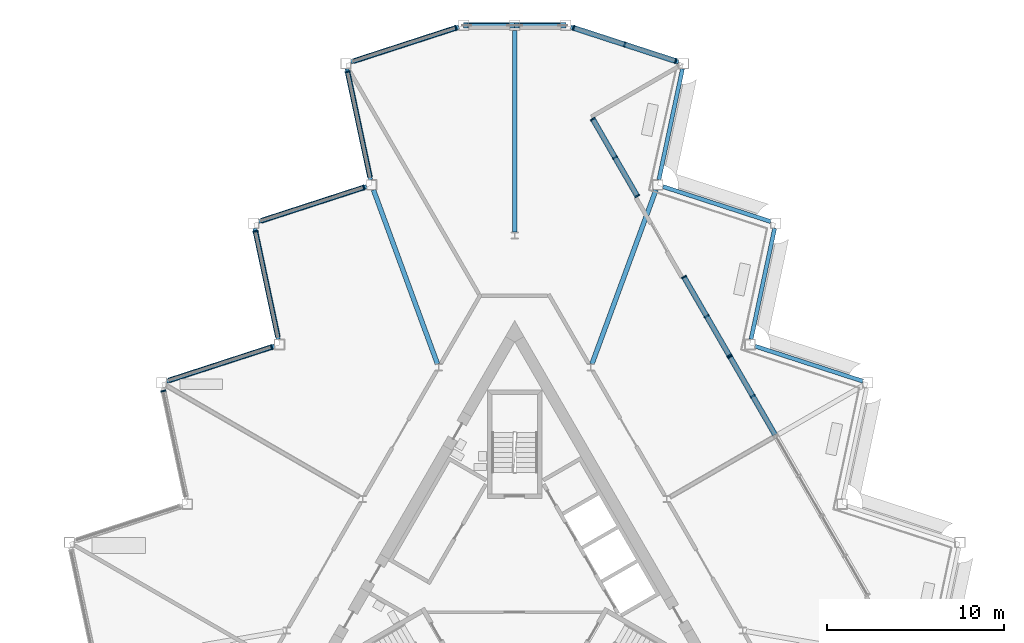
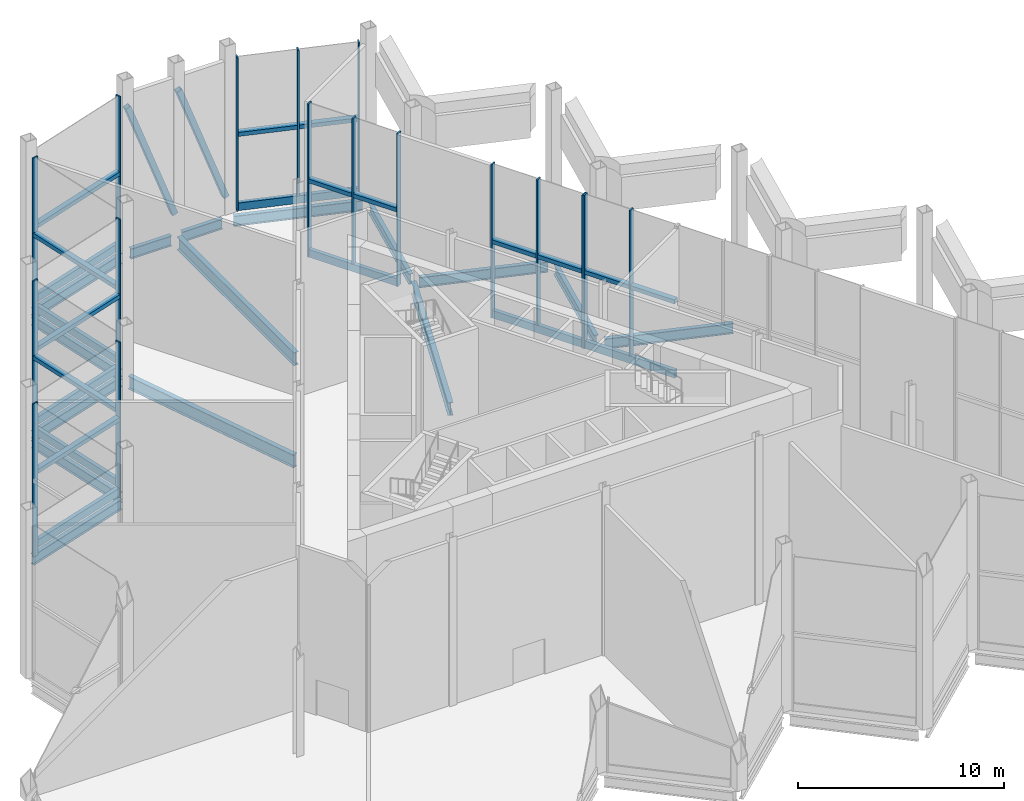
# One storey, part 6 of 18: 41 members, 15 beams, 5 elements without a shape of their own.
"""IFC4 building model written with IfcOpenShell, lengths in metres."""

from ifc_helpers import new_model, si_unit, direction, frame, origin, origin_2d, place, context, subcontext, project, spatial, rectangle, hollow_rectangle, i_section, extrude, material, layer, layer_set, material_profile, profile_set, type_object, element, aggregate, save


model = new_model("IFC4")

# Units and contexts
model_context = context("Model", 3, precision=1e-05, world=origin(), true_north=direction((0.0, 1.0)))
body_context = subcontext(model_context, "Body", "Model", "MODEL_VIEW")
ifc_project = project(units=[si_unit("LENGTHUNIT", "METRE"), si_unit("AREAUNIT", "SQUARE_METRE"), si_unit("VOLUMEUNIT", "CUBIC_METRE"), si_unit("PLANEANGLEUNIT", "RADIAN"), si_unit("MASSUNIT", "GRAM", prefix="KILO")], contexts=[model_context])

# Site, building, storey
site_placement = place(None, origin())
site = spatial("IfcSite", under=ifc_project, at=site_placement, CompositionType="ELEMENT")
building_placement = place(site_placement, origin())
building = spatial("IfcBuilding", under=site, at=building_placement, Name="Cormorant Prow Tower", CompositionType="ELEMENT")
storey_placement = place(building_placement, frame((0.0, 0.0, 346.0)))
storey = spatial("IfcBuildingStorey", under=building, at=storey_placement, Name="L78", CompositionType="ELEMENT", Elevation=346.0)

# Members
ifc_material_1 = material(Name="Structural steel ASTM A500 Gr C", Category="steel")
ifc_material_profile_1 = material_profile(ifc_material_1, hollow_rectangle(XDim=0.3046875, YDim=0.3046875, WallThickness=0.01171875, at=origin_2d()), Name="HSS12x12x1/2")
ifc_profile_set_1 = profile_set([ifc_material_profile_1], Name="Structural steel ASTM A500 Gr C")
member_type_1 = type_object("IfcMemberType", Name="Chamfer brace HSS12x12x1/2", PredefinedType="BRACE", material=ifc_profile_set_1)
for number, where, z_axis, x_axis, name in (
    (1, (2.755615234375, 31.676025390625, 0.924072265625), (-0.342295066455, 0.0, 0.939592511401), (0.0, -1.0, 0.0), "Chamfer brace BR3 at N00 L78"),
    (2, (-0.1181640625, 31.676025390625, 0.924072265625), (-0.342295066455, 0.0, 0.939592511401), (0.0, -1.0, 0.0), "Chamfer brace BR3 at N01 L78"),
):
    element("IfcMember", number, at=place(storey_placement, frame(where, z_axis=z_axis, x_axis=x_axis)), inside=storey, type_object=member_type_1, Name=name, PredefinedType="BRACE", context=body_context, shape_type="SweptSolid", body=[
        extrude(hollow_rectangle(XDim=0.3046875, YDim=0.3046875, WallThickness=0.01171875, at=origin_2d()), origin(), (0.0, 0.0, 1.0), 7.705078125),
    ])

# Beams
ifc_material_2 = material(Name="Structural steel ASTM A992 Gr 50", Category="steel")
ifc_material_profile_2 = material_profile(ifc_material_2, i_section(OverallWidth=0.267822265625, OverallDepth=0.77001953125, WebThickness=0.015625, FlangeThickness=0.025390625, at=origin_2d()), Name="W30x132")
ifc_profile_set_2 = profile_set([ifc_material_profile_2], Name="Structural steel ASTM A992 Gr 50")
beam_type_1 = type_object("IfcBeamType", Name="Radial floor beam W30x132", PredefinedType="BEAM", material=ifc_profile_set_2)
beam_1_placement = place(storey_placement, frame((0.0, 20.0087890625, -0.68505859375), z_axis=(0.0, 1.0, 0.0), x_axis=(-1.0, 0.0, 0.0)))
element("IfcBeam", 3, at=beam_1_placement, inside=storey, type_object=beam_type_1, Name="Radial floor beam FB3 1 L78", PredefinedType="BEAM", context=body_context, shape_type="SweptSolid", body=[
    extrude(i_section(OverallWidth=0.267822265625, OverallDepth=0.77001953125, WebThickness=0.015625, FlangeThickness=0.025390625, at=origin_2d()), origin(), (0.0, 0.0, 1.0), 11.3671875),
])
for number, where, z_axis, x_axis, name in (
    (4, (-4.357421875, 12.5673828125, -0.68505859375), (-0.345131226703, 0.938554439739, 0.0), (-0.938554439739, -0.345131226703, 0.0), "Radial floor beam FB3 2 L78"),
    (5, (4.357421875, 12.5673828125, -0.68505859375), (0.345131226703, 0.938554439739, 0.0), (-0.938554439739, 0.345131226703, 0.0), "Radial floor beam FB3 12 L78"),
):
    element("IfcBeam", number, at=place(storey_placement, frame(where, z_axis=z_axis, x_axis=x_axis)), inside=storey, type_object=beam_type_1, Name=name, PredefinedType="BEAM", context=body_context, shape_type="SweptSolid", body=[
        extrude(i_section(OverallWidth=0.267822265625, OverallDepth=0.77001953125, WebThickness=0.015625, FlangeThickness=0.025390625, at=origin_2d()), origin(), (0.0, 0.0, 1.0), 10.465087890625),
    ])

# Curtain wall, members
ifc_material_3 = material(Name="Aluminium 6063-T6", Category="aluminium")
ifc_layer = layer(ifc_material_3, 0.300048828125)
ifc_layer_set = layer_set([ifc_layer], Name="Aluminium 6063-T6")
curtain_wall_type = type_object("IfcCurtainWallType", Name="Sky lobby unitised curtain wall 300", PredefinedType="NOTDEFINED", material=ifc_layer_set)
curtain_wall_1_placement = place(storey_placement, origin())
curtain_wall_1 = element("IfcCurtainWall", 6, at=curtain_wall_1_placement, inside=storey, type_object=curtain_wall_type, Name="Sky lobby curtain wall ENE09", PredefinedType="NOTDEFINED")
ifc_material_4 = material(Name="Aluminium 6063-T6", Category="aluminium")
ifc_material_profile_3 = material_profile(ifc_material_4, rectangle(XDim=0.300048828125, YDim=0.239990234375, at=origin_2d()), Name="Sky lobby intermediate transom 300x240")
ifc_profile_set_3 = profile_set([ifc_material_profile_3], Name="Aluminium 6063-T6")
member_type_2 = type_object("IfcMemberType", Name="Sky lobby intermediate transom 300x240", PredefinedType="USERDEFINED", material=ifc_profile_set_3)
member_1_placement = place(storey_placement, frame((9.03857421875, 29.673095703125, 4.5439453125), z_axis=(-0.951060880833, 0.309003561387, 0.0), x_axis=(-0.309003561387, -0.951060880833, 0.0)))
member_1 = element("IfcMember", 7, at=member_1_placement, type_object=member_type_2, Name="Sky lobby intermediate transom ENE09", ObjectType="TRANSOM", PredefinedType="USERDEFINED", context=body_context, shape_type="SweptSolid", body=[
    extrude(rectangle(XDim=0.300048828125, YDim=0.239990234375, at=origin_2d()), origin(), (0.0, 0.0, 1.0), 2.94384765625),
])
member_2_placement = place(storey_placement, frame((6.16259765625, 30.607421875, 4.5439453125), z_axis=(-0.951044427718, 0.309054196713, 0.0), x_axis=(-0.309054196713, -0.951044427718, 0.0)))
member_2 = element("IfcMember", 8, at=member_2_placement, type_object=member_type_2, Name="Sky lobby intermediate transom ENE09", ObjectType="TRANSOM", PredefinedType="USERDEFINED", context=body_context, shape_type="SweptSolid", body=[
    extrude(rectangle(XDim=0.300048828125, YDim=0.239990234375, at=origin_2d()), origin(), (0.0, 0.0, 1.0), 2.944091796875),
])

curtain_wall_2_placement = place(storey_placement, origin())
curtain_wall_2 = element("IfcCurtainWall", 9, at=curtain_wall_2_placement, inside=storey, type_object=curtain_wall_type, Name="Sky lobby curtain wall WNW00-WNW09", PredefinedType="NOTDEFINED")
member_3_placement = place(storey_placement, frame((-3.362548828125, 31.517333984375, 4.5439453125), z_axis=(-0.951049789252, -0.309037697318, 0.0), x_axis=(0.309037697318, -0.951049789252, 0.0)))
member_3 = element("IfcMember", 10, at=member_3_placement, type_object=member_type_2, Name="Sky lobby intermediate transom WNW00-WNW09", ObjectType="TRANSOM", PredefinedType="USERDEFINED", context=body_context, shape_type="SweptSolid", body=[
    extrude(rectangle(XDim=0.300048828125, YDim=0.239990234375, at=origin_2d()), origin(), (0.0, 0.0, 1.0), 6.04833984375),
])
member_4_placement = place(storey_placement, frame((-9.420654296875, 29.011474609375, 4.5439453125), z_axis=(0.207924412442, -0.978144896583, 0.0), x_axis=(0.978144896583, 0.207924412442, 0.0)))
member_4 = element("IfcMember", 11, at=member_4_placement, type_object=member_type_2, Name="Sky lobby intermediate transom WNW00-WNW09", ObjectType="TRANSOM", PredefinedType="USERDEFINED", context=body_context, shape_type="SweptSolid", body=[
    extrude(rectangle(XDim=0.300048828125, YDim=0.239990234375, at=origin_2d()), origin(), (0.0, 0.0, 1.0), 6.048095703125),
])
member_5_placement = place(storey_placement, frame((-8.561767578125, 22.51220703125, 4.5439453125), z_axis=(-0.95105779808, -0.309013049419, 0.0), x_axis=(0.309013049419, -0.95105779808, 0.0)))
member_5 = element("IfcMember", 12, at=member_5_placement, type_object=member_type_2, Name="Sky lobby intermediate transom WNW00-WNW09", ObjectType="TRANSOM", PredefinedType="USERDEFINED", context=body_context, shape_type="SweptSolid", body=[
    extrude(rectangle(XDim=0.300048828125, YDim=0.239990234375, at=origin_2d()), origin(), (0.0, 0.0, 1.0), 6.0478515625),
])
member_6_placement = place(storey_placement, frame((-14.61962890625, 20.00634765625, 4.5439453125), z_axis=(0.207893999781, -0.978151360912, 0.0), x_axis=(0.978151360912, 0.207893999781, 0.0)))
member_6 = element("IfcMember", 13, at=member_6_placement, type_object=member_type_2, Name="Sky lobby intermediate transom WNW00-WNW09", ObjectType="TRANSOM", PredefinedType="USERDEFINED", context=body_context, shape_type="SweptSolid", body=[
    extrude(rectangle(XDim=0.300048828125, YDim=0.239990234375, at=origin_2d()), origin(), (0.0, 0.0, 1.0), 6.0478515625),
])
member_7_placement = place(storey_placement, frame((-13.7607421875, 13.507080078125, 4.5439453125), z_axis=(-0.951061652511, -0.309001186281, 0.0), x_axis=(0.309001186281, -0.951061652511, 0.0)))
member_7 = element("IfcMember", 14, at=member_7_placement, type_object=member_type_2, Name="Sky lobby intermediate transom WNW00-WNW09", ObjectType="TRANSOM", PredefinedType="USERDEFINED", context=body_context, shape_type="SweptSolid", body=[
    extrude(rectangle(XDim=0.300048828125, YDim=0.239990234375, at=origin_2d()), origin(), (0.0, 0.0, 1.0), 6.048095703125),
])

curtain_wall_3_placement = place(storey_placement, origin())
curtain_wall_3 = element("IfcCurtainWall", 15, at=curtain_wall_3_placement, inside=storey, type_object=curtain_wall_type, Name="Sky lobby curtain wall loggia ENE05", PredefinedType="NOTDEFINED")
member_8_placement = place(storey_placement, frame((14.689453125, 8.5732421875, 4.5439453125), z_axis=(-0.499972458349, 0.86604130438, 0.0), x_axis=(-0.86604130438, -0.499972458349, 0.0)))
member_8 = element("IfcMember", 16, at=member_8_placement, type_object=member_type_2, Name="Sky lobby intermediate transom loggia ENE05", ObjectType="TRANSOM", PredefinedType="USERDEFINED", context=body_context, shape_type="SweptSolid", body=[
    extrude(rectangle(XDim=0.300048828125, YDim=0.239990234375, at=origin_2d()), origin(), (0.0, 0.0, 1.0), 2.479736328125),
])
member_9_placement = place(storey_placement, frame((13.40966796875, 10.7900390625, 4.5439453125), z_axis=(-0.500015093611, 0.866016689309, 0.0), x_axis=(-0.866016689309, -0.500015093611, 0.0)))
member_9 = element("IfcMember", 17, at=member_9_placement, type_object=member_type_2, Name="Sky lobby intermediate transom loggia ENE05", ObjectType="TRANSOM", PredefinedType="USERDEFINED", context=body_context, shape_type="SweptSolid", body=[
    extrude(rectangle(XDim=0.300048828125, YDim=0.239990234375, at=origin_2d()), origin(), (0.0, 0.0, 1.0), 2.4794921875),
])

curtain_wall_4_placement = place(storey_placement, origin())
curtain_wall_4 = element("IfcCurtainWall", 18, at=curtain_wall_4_placement, inside=storey, type_object=curtain_wall_type, Name="Sky lobby curtain wall loggia ENE06", PredefinedType="NOTDEFINED")
member_10_placement = place(storey_placement, frame((12.08984375, 13.075927734375, 4.5439453125), z_axis=(-0.500015093611, 0.866016689309, 0.0), x_axis=(-0.866016689309, -0.500015093611, 0.0)))
member_10 = element("IfcMember", 19, at=member_10_placement, type_object=member_type_2, Name="Sky lobby intermediate transom loggia ENE06", ObjectType="TRANSOM", PredefinedType="USERDEFINED", context=body_context, shape_type="SweptSolid", body=[
    extrude(rectangle(XDim=0.300048828125, YDim=0.239990234375, at=origin_2d()), origin(), (0.0, 0.0, 1.0), 2.4794921875),
])
member_11_placement = place(storey_placement, frame((10.81005859375, 15.29248046875, 4.5439453125), z_axis=(-0.499972458349, 0.86604130438, 0.0), x_axis=(-0.86604130438, -0.499972458349, 0.0)))
member_11 = element("IfcMember", 20, at=member_11_placement, type_object=member_type_2, Name="Sky lobby intermediate transom loggia ENE06", ObjectType="TRANSOM", PredefinedType="USERDEFINED", context=body_context, shape_type="SweptSolid", body=[
    extrude(rectangle(XDim=0.300048828125, YDim=0.239990234375, at=origin_2d()), origin(), (0.0, 0.0, 1.0), 2.479736328125),
])

curtain_wall_5_placement = place(storey_placement, origin())
curtain_wall_5 = element("IfcCurtainWall", 21, at=curtain_wall_5_placement, inside=storey, type_object=curtain_wall_type, Name="Sky lobby curtain wall loggia ENE08", PredefinedType="NOTDEFINED")
member_12_placement = place(storey_placement, frame((6.890869140625, 22.080810546875, 4.5439453125), z_axis=(-0.500015883528, 0.866016233231, 0.0), x_axis=(-0.866016233231, -0.500015883528, 0.0)))
member_12 = element("IfcMember", 22, at=member_12_placement, type_object=member_type_2, Name="Sky lobby intermediate transom loggia ENE08", ObjectType="TRANSOM", PredefinedType="USERDEFINED", context=body_context, shape_type="SweptSolid", body=[
    extrude(rectangle(XDim=0.300048828125, YDim=0.239990234375, at=origin_2d()), origin(), (0.0, 0.0, 1.0), 2.4248046875),
])
member_13_placement = place(storey_placement, frame((5.638671875, 24.25, 4.5439453125), z_axis=(-0.500059486739, 0.865991056375, 0.0), x_axis=(-0.865991056375, -0.500059486739, 0.0)))
member_13 = element("IfcMember", 23, at=member_13_placement, type_object=member_type_2, Name="Sky lobby intermediate transom loggia ENE08", ObjectType="TRANSOM", PredefinedType="USERDEFINED", context=body_context, shape_type="SweptSolid", body=[
    extrude(rectangle(XDim=0.300048828125, YDim=0.239990234375, at=origin_2d()), origin(), (0.0, 0.0, 1.0), 2.424560546875),
])

# Member
ifc_material_5 = material(Name="Aluminium 6063-T6", Category="aluminium")
ifc_material_profile_4 = material_profile(ifc_material_5, rectangle(XDim=0.300048828125, YDim=0.080078125, at=origin_2d()), Name="Sky lobby mullion 80x300")
ifc_profile_set_4 = profile_set([ifc_material_profile_4], Name="Aluminium 6063-T6")
member_type_3 = type_object("IfcMemberType", Name="Sky lobby mullion 80x300", PredefinedType="MULLION", material=ifc_profile_set_4)
member_14_placement = place(storey_placement, frame((9.07666015625, 29.66064453125, 0.0), z_axis=(0.0, 0.0, 1.0), x_axis=(-0.30901703149, -0.951056504236, 0.0)))
member_14 = element("IfcMember", 24, at=member_14_placement, type_object=member_type_3, Name="Sky lobby mullion ENE09", PredefinedType="MULLION", context=body_context, shape_type="SweptSolid", body=[
    extrude(rectangle(XDim=0.300048828125, YDim=0.080078125, at=origin_2d()), origin(), (0.0, 0.0, 1.0), 9.087890625),
])

member_15_placement = place(storey_placement, frame((6.20068359375, 30.59521484375, 0.449951171875), z_axis=(0.0, 0.0, 1.0), x_axis=(-0.30901703149, -0.951056504236, 0.0)))
member_15 = element("IfcMember", 25, at=member_15_placement, type_object=member_type_3, Name="Sky lobby mullion ENE09", PredefinedType="MULLION", context=body_context, shape_type="SweptSolid", body=[
    extrude(rectangle(XDim=0.300048828125, YDim=0.080078125, at=origin_2d()), origin(), (0.0, 0.0, 1.0), 8.637939453125),
])

member_16_placement = place(storey_placement, frame((3.32470703125, 31.529541015625, 0.0), z_axis=(0.0, 0.0, 1.0), x_axis=(-0.30901703149, -0.951056504236, 0.0)))
member_16 = element("IfcMember", 26, at=member_16_placement, type_object=member_type_3, Name="Sky lobby mullion ENE09", PredefinedType="MULLION", context=body_context, shape_type="SweptSolid", body=[
    extrude(rectangle(XDim=0.300048828125, YDim=0.080078125, at=origin_2d()), origin(), (0.0, 0.0, 1.0), 9.087890625),
])

member_17_placement = place(storey_placement, frame((-3.32470703125, 31.529541015625, 0.0), z_axis=(0.0, 0.0, 1.0), x_axis=(0.30901703149, -0.951056504236, 0.0)))
member_17 = element("IfcMember", 27, at=member_17_placement, type_object=member_type_3, Name="Sky lobby mullion WNW00-WNW09", PredefinedType="MULLION", context=body_context, shape_type="SweptSolid", body=[
    extrude(rectangle(XDim=0.300048828125, YDim=0.080078125, at=origin_2d()), origin(), (0.0, 0.0, 1.0), 9.087890625),
])

member_18_placement = place(storey_placement, frame((-9.428955078125, 29.050537109375, 0.0), z_axis=(0.0, 0.0, 1.0), x_axis=(0.978147614501, 0.207911626047, 0.0)))
member_18 = element("IfcMember", 28, at=member_18_placement, type_object=member_type_3, Name="Sky lobby mullion WNW00-WNW09", PredefinedType="MULLION", context=body_context, shape_type="SweptSolid", body=[
    extrude(rectangle(XDim=0.300048828125, YDim=0.080078125, at=origin_2d()), origin(), (0.0, 0.0, 1.0), 9.087890625),
])

member_19_placement = place(storey_placement, frame((-8.523681640625, 22.524658203125, 0.0), z_axis=(0.0, 0.0, 1.0), x_axis=(0.309016989495, -0.951056517881, 0.0)))
member_19 = element("IfcMember", 29, at=member_19_placement, type_object=member_type_3, Name="Sky lobby mullion WNW00-WNW09", PredefinedType="MULLION", context=body_context, shape_type="SweptSolid", body=[
    extrude(rectangle(XDim=0.300048828125, YDim=0.080078125, at=origin_2d()), origin(), (0.0, 0.0, 1.0), 9.087890625),
])

member_20_placement = place(storey_placement, frame((-14.6279296875, 20.04541015625, 0.0), z_axis=(0.0, 0.0, 1.0), x_axis=(0.978147608322, 0.20791165512, 0.0)))
member_20 = element("IfcMember", 30, at=member_20_placement, type_object=member_type_3, Name="Sky lobby mullion WNW00-WNW09", PredefinedType="MULLION", context=body_context, shape_type="SweptSolid", body=[
    extrude(rectangle(XDim=0.300048828125, YDim=0.080078125, at=origin_2d()), origin(), (0.0, 0.0, 1.0), 9.087890625),
])

member_21_placement = place(storey_placement, frame((-13.72265625, 13.51953125, 0.0), z_axis=(0.0, 0.0, 1.0), x_axis=(0.309016989495, -0.951056517881, 0.0)))
member_21 = element("IfcMember", 31, at=member_21_placement, type_object=member_type_3, Name="Sky lobby mullion WNW00-WNW09", PredefinedType="MULLION", context=body_context, shape_type="SweptSolid", body=[
    extrude(rectangle(XDim=0.300048828125, YDim=0.080078125, at=origin_2d()), origin(), (0.0, 0.0, 1.0), 9.087890625),
])

member_22_placement = place(storey_placement, frame((-19.8271484375, 11.040283203125, 0.0), z_axis=(0.0, 0.0, 1.0), x_axis=(0.978147585431, 0.20791176281, 0.0)))
member_22 = element("IfcMember", 32, at=member_22_placement, type_object=member_type_3, Name="Sky lobby mullion WNW00-WNW09", PredefinedType="MULLION", context=body_context, shape_type="SweptSolid", body=[
    extrude(rectangle(XDim=0.300048828125, YDim=0.080078125, at=origin_2d()), origin(), (0.0, 0.0, 1.0), 9.087890625),
])

member_23_placement = place(storey_placement, frame((13.4296875, 10.75537109375, 0.449951171875), z_axis=(0.0, 0.0, 1.0), x_axis=(-0.866025413174, -0.499999983736, 0.0)))
member_23 = element("IfcMember", 33, at=member_23_placement, type_object=member_type_3, Name="Sky lobby mullion loggia ENE05", PredefinedType="MULLION", context=body_context, shape_type="SweptSolid", body=[
    extrude(rectangle(XDim=0.300048828125, YDim=0.080078125, at=origin_2d()), origin(), (0.0, 0.0, 1.0), 8.637939453125),
])

member_24_placement = place(storey_placement, frame((12.14990234375, 12.971923828125, 0.0), z_axis=(0.0, 0.0, 1.0), x_axis=(-0.866025413174, -0.499999983736, 0.0)))
member_24 = element("IfcMember", 34, at=member_24_placement, type_object=member_type_3, Name="Sky lobby mullion loggia ENE05", PredefinedType="MULLION", context=body_context, shape_type="SweptSolid", body=[
    extrude(rectangle(XDim=0.300048828125, YDim=0.080078125, at=origin_2d()), origin(), (0.0, 0.0, 1.0), 9.087890625),
])

member_25_placement = place(storey_placement, frame((12.10986328125, 13.041259765625, 0.0), z_axis=(0.0, 0.0, 1.0), x_axis=(-0.866025413174, -0.499999983736, 0.0)))
member_25 = element("IfcMember", 35, at=member_25_placement, type_object=member_type_3, Name="Sky lobby mullion loggia ENE06", PredefinedType="MULLION", context=body_context, shape_type="SweptSolid", body=[
    extrude(rectangle(XDim=0.300048828125, YDim=0.080078125, at=origin_2d()), origin(), (0.0, 0.0, 1.0), 9.087890625),
])

member_26_placement = place(storey_placement, frame((10.830078125, 15.2578125, 0.449951171875), z_axis=(0.0, 0.0, 1.0), x_axis=(-0.866025413174, -0.499999983736, 0.0)))
member_26 = element("IfcMember", 36, at=member_26_placement, type_object=member_type_3, Name="Sky lobby mullion loggia ENE06", PredefinedType="MULLION", context=body_context, shape_type="SweptSolid", body=[
    extrude(rectangle(XDim=0.300048828125, YDim=0.080078125, at=origin_2d()), origin(), (0.0, 0.0, 1.0), 8.637939453125),
])

member_27_placement = place(storey_placement, frame((9.55029296875, 17.474365234375, 0.0), z_axis=(0.0, 0.0, 1.0), x_axis=(-0.866025413174, -0.499999983736, 0.0)))
member_27 = element("IfcMember", 37, at=member_27_placement, type_object=member_type_3, Name="Sky lobby mullion loggia ENE06", PredefinedType="MULLION", context=body_context, shape_type="SweptSolid", body=[
    extrude(rectangle(XDim=0.300048828125, YDim=0.080078125, at=origin_2d()), origin(), (0.0, 0.0, 1.0), 9.087890625),
])

member_28_placement = place(storey_placement, frame((6.910888671875, 22.04638671875, 0.0), z_axis=(0.0, 0.0, 1.0), x_axis=(-0.866025413174, -0.499999983736, 0.0)))
member_28 = element("IfcMember", 38, at=member_28_placement, type_object=member_type_3, Name="Sky lobby mullion loggia ENE08", PredefinedType="MULLION", context=body_context, shape_type="SweptSolid", body=[
    extrude(rectangle(XDim=0.300048828125, YDim=0.080078125, at=origin_2d()), origin(), (0.0, 0.0, 1.0), 9.087890625),
])

member_29_placement = place(storey_placement, frame((5.658447265625, 24.21533203125, 0.449951171875), z_axis=(0.0, 0.0, 1.0), x_axis=(-0.866025413174, -0.499999983736, 0.0)))
member_29 = element("IfcMember", 39, at=member_29_placement, type_object=member_type_3, Name="Sky lobby mullion loggia ENE08", PredefinedType="MULLION", context=body_context, shape_type="SweptSolid", body=[
    extrude(rectangle(XDim=0.300048828125, YDim=0.080078125, at=origin_2d()), origin(), (0.0, 0.0, 1.0), 8.637939453125),
])

member_30_placement = place(storey_placement, frame((4.40625, 26.38427734375, 0.0), z_axis=(0.0, 0.0, 1.0), x_axis=(-0.866025413174, -0.499999983736, 0.0)))
member_30 = element("IfcMember", 40, at=member_30_placement, type_object=member_type_3, Name="Sky lobby mullion loggia ENE08", PredefinedType="MULLION", context=body_context, shape_type="SweptSolid", body=[
    extrude(rectangle(XDim=0.300048828125, YDim=0.080078125, at=origin_2d()), origin(), (0.0, 0.0, 1.0), 9.087890625),
])

ifc_material_6 = material(Name="Terracotta", Category="masonry")
ifc_material_profile_5 = material_profile(ifc_material_6, rectangle(XDim=0.219970703125, YDim=0.449951171875, at=origin_2d()), Name="Sky lobby terracotta spandrel rail 220x450")
ifc_profile_set_5 = profile_set([ifc_material_profile_5], Name="Terracotta")
member_type_4 = type_object("IfcMemberType", Name="Sky lobby terracotta spandrel rail 220x450", PredefinedType="USERDEFINED", material=ifc_profile_set_5)
member_31_placement = place(storey_placement, frame((9.03857421875, 29.673095703125, 0.22509765625), z_axis=(-0.951057213805, 0.309014847653, 0.0), x_axis=(-0.309014847653, -0.951057213805, 0.0)))
member_31 = element("IfcMember", 41, at=member_31_placement, type_object=member_type_4, Name="Sky lobby spandrel rail ENE09", ObjectType="TRANSOM", PredefinedType="USERDEFINED", context=body_context, shape_type="SweptSolid", body=[
    extrude(rectangle(XDim=0.219970703125, YDim=0.449951171875, at=origin_2d()), origin(), (0.0, 0.0, 1.0), 5.968017578125),
])

aggregate(curtain_wall_1, [member_14, member_15, member_16, member_31, member_1, member_2])

member_32_placement = place(storey_placement, frame((-3.362548828125, 31.517333984375, 0.22509765625), z_axis=(-0.951049789252, -0.309037697318, 0.0), x_axis=(0.309037697318, -0.951049789252, 0.0)))
member_32 = element("IfcMember", 42, at=member_32_placement, type_object=member_type_4, Name="Sky lobby spandrel rail WNW00-WNW09", ObjectType="TRANSOM", PredefinedType="USERDEFINED", context=body_context, shape_type="SweptSolid", body=[
    extrude(rectangle(XDim=0.219970703125, YDim=0.449951171875, at=origin_2d()), origin(), (0.0, 0.0, 1.0), 6.04833984375),
])

member_33_placement = place(storey_placement, frame((-9.420654296875, 29.011474609375, 0.22509765625), z_axis=(0.207924412442, -0.978144896583, 0.0), x_axis=(0.978144896583, 0.207924412442, 0.0)))
member_33 = element("IfcMember", 43, at=member_33_placement, type_object=member_type_4, Name="Sky lobby spandrel rail WNW00-WNW09", ObjectType="TRANSOM", PredefinedType="USERDEFINED", context=body_context, shape_type="SweptSolid", body=[
    extrude(rectangle(XDim=0.219970703125, YDim=0.449951171875, at=origin_2d()), origin(), (0.0, 0.0, 1.0), 6.048095703125),
])

member_34_placement = place(storey_placement, frame((-8.561767578125, 22.51220703125, 0.22509765625), z_axis=(-0.95105779808, -0.309013049419, 0.0), x_axis=(0.309013049419, -0.95105779808, 0.0)))
member_34 = element("IfcMember", 44, at=member_34_placement, type_object=member_type_4, Name="Sky lobby spandrel rail WNW00-WNW09", ObjectType="TRANSOM", PredefinedType="USERDEFINED", context=body_context, shape_type="SweptSolid", body=[
    extrude(rectangle(XDim=0.219970703125, YDim=0.449951171875, at=origin_2d()), origin(), (0.0, 0.0, 1.0), 6.0478515625),
])

member_35_placement = place(storey_placement, frame((-14.61962890625, 20.00634765625, 0.22509765625), z_axis=(0.207893999781, -0.978151360912, 0.0), x_axis=(0.978151360912, 0.207893999781, 0.0)))
member_35 = element("IfcMember", 45, at=member_35_placement, type_object=member_type_4, Name="Sky lobby spandrel rail WNW00-WNW09", ObjectType="TRANSOM", PredefinedType="USERDEFINED", context=body_context, shape_type="SweptSolid", body=[
    extrude(rectangle(XDim=0.219970703125, YDim=0.449951171875, at=origin_2d()), origin(), (0.0, 0.0, 1.0), 6.0478515625),
])

member_36_placement = place(storey_placement, frame((-13.7607421875, 13.507080078125, 0.22509765625), z_axis=(-0.951061652511, -0.309001186281, 0.0), x_axis=(0.309001186281, -0.951061652511, 0.0)))
member_36 = element("IfcMember", 46, at=member_36_placement, type_object=member_type_4, Name="Sky lobby spandrel rail WNW00-WNW09", ObjectType="TRANSOM", PredefinedType="USERDEFINED", context=body_context, shape_type="SweptSolid", body=[
    extrude(rectangle(XDim=0.219970703125, YDim=0.449951171875, at=origin_2d()), origin(), (0.0, 0.0, 1.0), 6.048095703125),
])

aggregate(curtain_wall_2, [member_17, member_32, member_3, member_18, member_33, member_4, member_19, member_34, member_5, member_20, member_35, member_6, member_21, member_36, member_7, member_22])

member_37_placement = place(storey_placement, frame((14.689453125, 8.5732421875, 0.22509765625), z_axis=(-0.499995055936, 0.866028258222, 0.0), x_axis=(-0.866028258222, -0.499995055936, 0.0)))
member_37 = element("IfcMember", 47, at=member_37_placement, type_object=member_type_4, Name="Sky lobby spandrel rail loggia ENE05", ObjectType="TRANSOM", PredefinedType="USERDEFINED", context=body_context, shape_type="SweptSolid", body=[
    extrude(rectangle(XDim=0.219970703125, YDim=0.449951171875, at=origin_2d()), origin(), (0.0, 0.0, 1.0), 5.0390625),
])

aggregate(curtain_wall_3, [member_23, member_24, member_37, member_8, member_9])

member_38_placement = place(storey_placement, frame((12.08984375, 13.075927734375, 0.22509765625), z_axis=(-0.499995055936, 0.866028258222, 0.0), x_axis=(-0.866028258222, -0.499995055936, 0.0)))
member_38 = element("IfcMember", 48, at=member_38_placement, type_object=member_type_4, Name="Sky lobby spandrel rail loggia ENE06", ObjectType="TRANSOM", PredefinedType="USERDEFINED", context=body_context, shape_type="SweptSolid", body=[
    extrude(rectangle(XDim=0.219970703125, YDim=0.449951171875, at=origin_2d()), origin(), (0.0, 0.0, 1.0), 5.0390625),
])

aggregate(curtain_wall_4, [member_25, member_26, member_27, member_38, member_10, member_11])

member_39_placement = place(storey_placement, frame((6.890869140625, 22.080810546875, 0.22509765625), z_axis=(-0.500001134594, 0.866024748725, 0.0), x_axis=(-0.866024748725, -0.500001134594, 0.0)))
member_39 = element("IfcMember", 49, at=member_39_placement, type_object=member_type_4, Name="Sky lobby spandrel rail loggia ENE08", ObjectType="TRANSOM", PredefinedType="USERDEFINED", context=body_context, shape_type="SweptSolid", body=[
    extrude(rectangle(XDim=0.219970703125, YDim=0.449951171875, at=origin_2d()), origin(), (0.0, 0.0, 1.0), 4.92919921875),
])

aggregate(curtain_wall_5, [member_28, member_29, member_30, member_39, member_12, member_13])

# Beams
ifc_material_7 = material(Name="Structural steel ASTM A992 Gr 50", Category="steel")
ifc_material_profile_6 = material_profile(ifc_material_7, i_section(OverallWidth=0.22900390625, OverallDepth=0.612060546875, WebThickness=0.011962890625, FlangeThickness=0.01953125, at=origin_2d()), Name="W24x84")
ifc_profile_set_6 = profile_set([ifc_material_profile_6], Name="Structural steel ASTM A992 Gr 50")
beam_type_2 = type_object("IfcBeamType", Name="Spandrel beam W24x84", PredefinedType="SPANDREL", material=ifc_profile_set_6)
for number, where, z_axis, x_axis, name in (
    (50, (19.640380859375, 11.5966796875, -0.60595703125), (-0.95105314132, 0.309027381286, 0.0), (-0.309027381286, -0.95105314132, 0.0), "Spandrel beam SB3 ENE05-ENE06 L78"),
    (51, (13.334228515625, 13.95947265625, -0.60595703125), (0.207920386839, 0.978145752297, 0.0), (-0.978145752297, 0.207920386839, 0.0), "Spandrel beam SB3 ENE06-ENE07 L78"),
    (52, (14.441162109375, 20.601806640625, -0.60595703125), (-0.95105314132, 0.309027381286, 0.0), (-0.309027381286, -0.95105314132, 0.0), "Spandrel beam SB3 ENE07-ENE08 L78"),
):
    element("IfcBeam", number, at=place(storey_placement, frame(where, z_axis=z_axis, x_axis=x_axis)), inside=storey, type_object=beam_type_2, Name=name, PredefinedType="SPANDREL", context=body_context, shape_type="SweptSolid", body=[
        extrude(i_section(OverallWidth=0.22900390625, OverallDepth=0.612060546875, WebThickness=0.011962890625, FlangeThickness=0.01953125, at=origin_2d()), origin(), (0.0, 0.0, 1.0), 6.39599609375),
    ])
beam_2_placement = place(storey_placement, frame((8.13525390625, 22.96435546875, -0.60595703125), z_axis=(0.20791262393, 0.978147402394, 0.0), x_axis=(-0.978147402394, 0.20791262393, 0.0)))
element("IfcBeam", 53, at=beam_2_placement, inside=storey, type_object=beam_type_2, Name="Spandrel beam SB3 ENE08-ENE09 L78", PredefinedType="SPANDREL", context=body_context, shape_type="SweptSolid", body=[
    extrude(i_section(OverallWidth=0.22900390625, OverallDepth=0.612060546875, WebThickness=0.011962890625, FlangeThickness=0.01953125, at=origin_2d()), origin(), (0.0, 0.0, 1.0), 6.396240234375),
])
beam_3_placement = place(storey_placement, frame((9.2421875, 29.60693359375, -0.60595703125), z_axis=(-0.951064359156, 0.308992855489, 0.0), x_axis=(-0.308992855489, -0.951064359156, 0.0)))
element("IfcBeam", 54, at=beam_3_placement, inside=storey, type_object=beam_type_2, Name="Spandrel beam SB3 ENE09-N00 L78", PredefinedType="SPANDREL", context=body_context, shape_type="SweptSolid", body=[
    extrude(i_section(OverallWidth=0.22900390625, OverallDepth=0.612060546875, WebThickness=0.011962890625, FlangeThickness=0.01953125, at=origin_2d()), origin(), (0.0, 0.0, 1.0), 6.39599609375),
])
for number, where, z_axis, x_axis, name in (
    (55, (2.57373046875, 31.676025390625, -0.60595703125), (-1.0, 0.0, 0.0), (0.0, -1.0, 0.0), "Spandrel beam SB3 N00-N01 L78"),
    (56, (-0.300048828125, 31.676025390625, -0.60595703125), (-1.0, 0.0, 0.0), (0.0, -1.0, 0.0), "Spandrel beam SB3 N01-WNW00 L78"),
):
    element("IfcBeam", number, at=place(storey_placement, frame(where, z_axis=z_axis, x_axis=x_axis)), inside=storey, type_object=beam_type_2, Name=name, PredefinedType="SPANDREL", context=body_context, shape_type="SweptSolid", body=[
        extrude(i_section(OverallWidth=0.22900390625, OverallDepth=0.612060546875, WebThickness=0.011962890625, FlangeThickness=0.01953125, at=origin_2d()), origin(), (0.0, 0.0, 1.0), 2.273681640625),
    ])
beam_4_placement = place(storey_placement, frame((-3.1591796875, 31.583251953125, -0.60595703125), z_axis=(-0.951064359156, -0.308992855489, 0.0), x_axis=(0.308992855489, -0.951064359156, 0.0)))
element("IfcBeam", 57, at=beam_4_placement, inside=storey, type_object=beam_type_2, Name="Spandrel beam SB3 WNW00-WNW01 L78", PredefinedType="SPANDREL", context=body_context, shape_type="SweptSolid", body=[
    extrude(i_section(OverallWidth=0.22900390625, OverallDepth=0.612060546875, WebThickness=0.011962890625, FlangeThickness=0.01953125, at=origin_2d()), origin(), (0.0, 0.0, 1.0), 6.39599609375),
])
beam_5_placement = place(storey_placement, frame((-9.465087890625, 29.220703125, -0.60595703125), z_axis=(0.20791262393, -0.978147402394, 0.0), x_axis=(0.978147402394, 0.20791262393, 0.0)))
element("IfcBeam", 58, at=beam_5_placement, inside=storey, type_object=beam_type_2, Name="Spandrel beam SB3 WNW01-WNW02 L78", PredefinedType="SPANDREL", context=body_context, shape_type="SweptSolid", body=[
    extrude(i_section(OverallWidth=0.22900390625, OverallDepth=0.612060546875, WebThickness=0.011962890625, FlangeThickness=0.01953125, at=origin_2d()), origin(), (0.0, 0.0, 1.0), 6.396240234375),
])
for number, where, z_axis, x_axis, name in (
    (59, (-8.358154296875, 22.578369140625, -0.60595703125), (-0.95105314132, -0.309027381286, 0.0), (0.309027381286, -0.95105314132, 0.0), "Spandrel beam SB3 WNW02-WNW03 L78"),
    (60, (-14.6640625, 20.215576171875, -0.60595703125), (0.207920386839, -0.978145752297, 0.0), (0.978145752297, 0.207920386839, 0.0), "Spandrel beam SB3 WNW03-WNW04 L78"),
    (61, (-13.557373046875, 13.5732421875, -0.60595703125), (-0.95105314132, -0.309027381286, 0.0), (0.309027381286, -0.95105314132, 0.0), "Spandrel beam SB3 WNW04-WNW05 L78"),
):
    element("IfcBeam", number, at=place(storey_placement, frame(where, z_axis=z_axis, x_axis=x_axis)), inside=storey, type_object=beam_type_2, Name=name, PredefinedType="SPANDREL", context=body_context, shape_type="SweptSolid", body=[
        extrude(i_section(OverallWidth=0.22900390625, OverallDepth=0.612060546875, WebThickness=0.011962890625, FlangeThickness=0.01953125, at=origin_2d()), origin(), (0.0, 0.0, 1.0), 6.39599609375),
    ])

save(model, "model.ifc")
